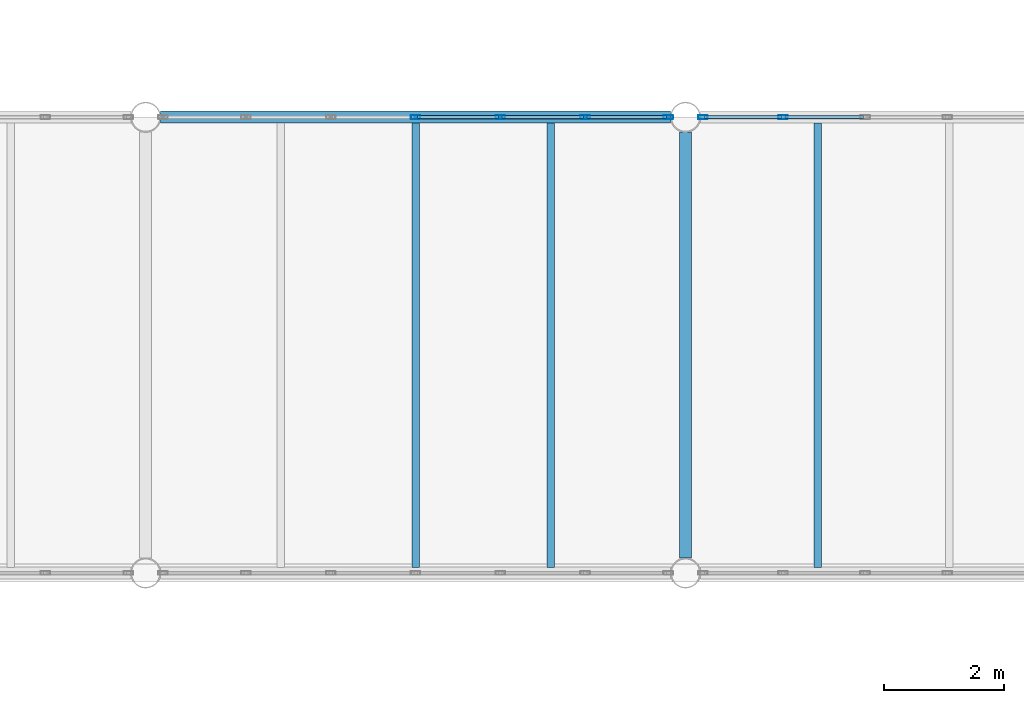
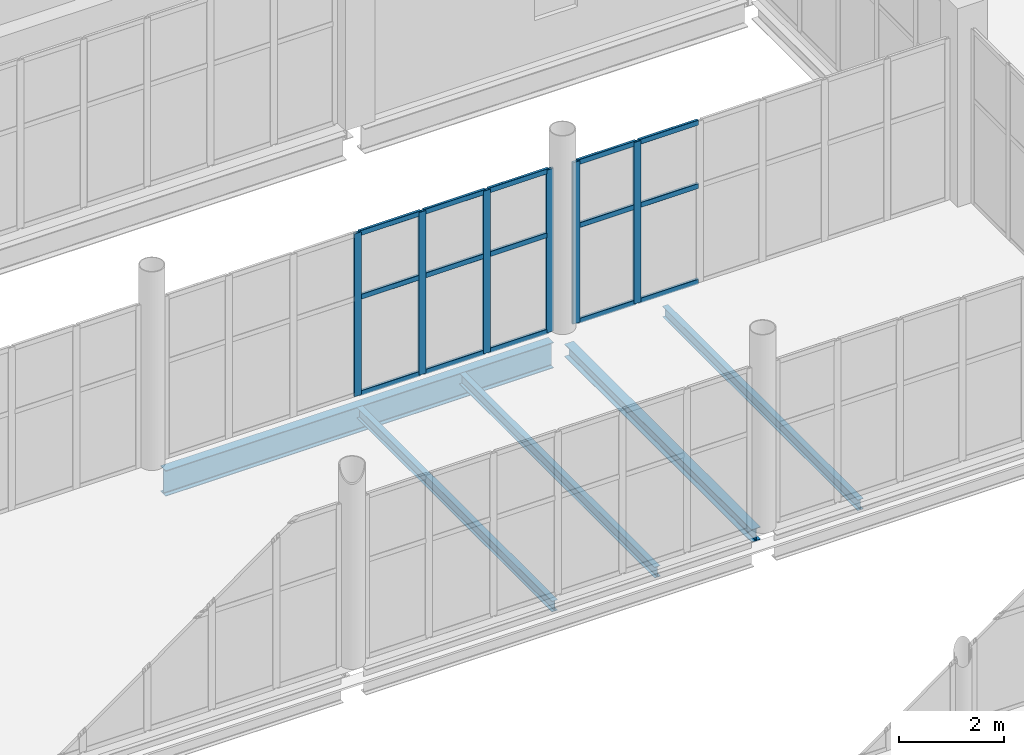
# One storey, part 116 of 172: 21 members, 5 beams, 2 elements without a shape of their own.
"""IFC4 building model written with IfcOpenShell, lengths in metres."""

from ifc_helpers import new_model, si_unit, direction, frame, origin, origin_2d, place, context, subcontext, project, spatial, hollow_rectangle, i_section, extrude, material, material_profile, profile_set, type_object, element, aggregate, save


model = new_model("IFC4")

# Units and contexts
model_context = context("Model", 3, precision=1e-05, world=origin(), true_north=direction((0.0, 1.0)))
body_context = subcontext(model_context, "Body", "Model", "MODEL_VIEW")
ifc_project = project(units=[si_unit("LENGTHUNIT", "METRE"), si_unit("AREAUNIT", "SQUARE_METRE"), si_unit("VOLUMEUNIT", "CUBIC_METRE"), si_unit("PLANEANGLEUNIT", "RADIAN"), si_unit("MASSUNIT", "GRAM", prefix="KILO")], contexts=[model_context])

# Site, building, storey
site_placement = place(None, origin())
site = spatial("IfcSite", under=ifc_project, at=site_placement, CompositionType="ELEMENT")
building_placement = place(site_placement, origin())
building = spatial("IfcBuilding", under=site, at=building_placement, Name="Shengluoqiao Park Theatre", CompositionType="ELEMENT")
storey_placement = place(building_placement, frame((0.0, 0.0, 5.39990234375)))
storey = spatial("IfcBuildingStorey", under=building, at=storey_placement, Name="L01", CompositionType="ELEMENT", Elevation=5.39990234375)

# Curtain wall, members
ifc_material_1 = material(Name="Aluminium 6063-T6", Category="aluminium")
curtain_wall_type = type_object("IfcCurtainWallType", Name="ENV-CW-BRIDGE", PredefinedType="NOTDEFINED", material=ifc_material_1)
curtain_wall_1_placement = place(storey_placement, origin())
curtain_wall_1 = element("IfcCurtainWall", 1, at=curtain_wall_1_placement, inside=storey, type_object=curtain_wall_type, Name="L01 Curtain Wall CWX-L01-0105", PredefinedType="NOTDEFINED")
ifc_material_profile_1 = material_profile(ifc_material_1, hollow_rectangle(XDim=0.06005859375, YDim=0.159912109375, WallThickness=0.00390625, InnerFilletRadius=0.00390625, OuterFilletRadius=0.008056640625, at=origin_2d()), Name="ALU MULLION 160x60x4")
ifc_profile_set_1 = profile_set([ifc_material_profile_1], Name="Aluminium 6063-T6")
member_type_1 = type_object("IfcMemberType", Name="ENV-MUL-160", PredefinedType="MULLION", material=ifc_profile_set_1)
member_1_placement = place(storey_placement, frame((143.89990234375, 76.0, 0.0), z_axis=(0.0, 0.0, 1.0), x_axis=(0.0, 1.0, 0.0)))
member_1 = element("IfcMember", 2, at=member_1_placement, type_object=member_type_1, Name="CW-03 mullion 4", PredefinedType="MULLION", context=body_context, shape_type="SweptSolid", body=[
    extrude(hollow_rectangle(XDim=0.06005859375, YDim=0.159912109375, WallThickness=0.00390625, InnerFilletRadius=0.00390625, OuterFilletRadius=0.008056640625, at=origin_2d()), origin(), (0.0, 0.0, 1.0), 3.772216796875),
])
member_2_placement = place(storey_placement, frame((145.31396484375, 76.0, 0.0), z_axis=(0.0, 0.0, 1.0), x_axis=(0.0, 1.0, 0.0)))
member_2 = element("IfcMember", 3, at=member_2_placement, type_object=member_type_1, Name="CW-03 mullion 5", PredefinedType="MULLION", context=body_context, shape_type="SweptSolid", body=[
    extrude(hollow_rectangle(XDim=0.06005859375, YDim=0.159912109375, WallThickness=0.00390625, InnerFilletRadius=0.00390625, OuterFilletRadius=0.008056640625, at=origin_2d()), origin(), (0.0, 0.0, 1.0), 3.772216796875),
])
member_3_placement = place(storey_placement, frame((146.72802734375, 76.0, 0.0), z_axis=(0.0, 0.0, 1.0), x_axis=(0.0, 1.0, 0.0)))
member_3 = element("IfcMember", 4, at=member_3_placement, type_object=member_type_1, Name="CW-03 mullion 6", PredefinedType="MULLION", context=body_context, shape_type="SweptSolid", body=[
    extrude(hollow_rectangle(XDim=0.06005859375, YDim=0.159912109375, WallThickness=0.00390625, InnerFilletRadius=0.00390625, OuterFilletRadius=0.008056640625, at=origin_2d()), origin(), (0.0, 0.0, 1.0), 3.772216796875),
])
member_4_placement = place(storey_placement, frame((148.112060546875, 76.0, 0.0), z_axis=(0.0, 0.0, 1.0), x_axis=(0.0, 1.0, 0.0)))
member_4 = element("IfcMember", 5, at=member_4_placement, type_object=member_type_1, Name="CW-03 mullion 7", PredefinedType="MULLION", context=body_context, shape_type="SweptSolid", body=[
    extrude(hollow_rectangle(XDim=0.06005859375, YDim=0.159912109375, WallThickness=0.00390625, InnerFilletRadius=0.00390625, OuterFilletRadius=0.008056640625, at=origin_2d()), origin(), (0.0, 0.0, 1.0), 3.772216796875),
])

curtain_wall_2_placement = place(storey_placement, origin())
curtain_wall_2 = element("IfcCurtainWall", 6, at=curtain_wall_2_placement, inside=storey, type_object=curtain_wall_type, Name="L01 Curtain Wall CWX-L01-0106", PredefinedType="NOTDEFINED")
member_5_placement = place(storey_placement, frame((148.68798828125, 76.0, 0.0), z_axis=(0.0, 0.0, 1.0), x_axis=(0.0, 1.0, 0.0)))
member_5 = element("IfcMember", 7, at=member_5_placement, type_object=member_type_1, Name="CW-03 mullion 1", PredefinedType="MULLION", context=body_context, shape_type="SweptSolid", body=[
    extrude(hollow_rectangle(XDim=0.06005859375, YDim=0.159912109375, WallThickness=0.00390625, InnerFilletRadius=0.00390625, OuterFilletRadius=0.008056640625, at=origin_2d()), origin(), (0.0, 0.0, 1.0), 3.7421875),
])
member_6_placement = place(storey_placement, frame((150.02685546875, 76.0, 0.0), z_axis=(0.0, 0.0, 1.0), x_axis=(0.0, 1.0, 0.0)))
member_6 = element("IfcMember", 8, at=member_6_placement, type_object=member_type_1, Name="CW-03 mullion 2", PredefinedType="MULLION", context=body_context, shape_type="SweptSolid", body=[
    extrude(hollow_rectangle(XDim=0.06005859375, YDim=0.159912109375, WallThickness=0.00390625, InnerFilletRadius=0.00390625, OuterFilletRadius=0.008056640625, at=origin_2d()), origin(), (0.0, 0.0, 1.0), 3.7421875),
])

# Member
ifc_material_profile_2 = material_profile(ifc_material_1, hollow_rectangle(XDim=0.06005859375, YDim=0.1201171875, WallThickness=0.00390625, InnerFilletRadius=0.00390625, OuterFilletRadius=0.008056640625, at=origin_2d()), Name="ALU TRANSOM 120x60x4")
ifc_profile_set_2 = profile_set([ifc_material_profile_2], Name="Aluminium 6063-T6")
member_type_2 = type_object("IfcMemberType", Name="ENV-TRN-120", PredefinedType="USERDEFINED", material=ifc_profile_set_2)
member_7_placement = place(storey_placement, frame((143.929931640625, 76.0, 0.030029296875), z_axis=(1.0, 0.0, 0.0), x_axis=(0.0, 1.0, 0.0)))
member_7 = element("IfcMember", 9, at=member_7_placement, type_object=member_type_2, Name="CW-03 transom 4.1", ObjectType="TRANSOM", PredefinedType="USERDEFINED", context=body_context, shape_type="SweptSolid", body=[
    extrude(hollow_rectangle(XDim=0.06005859375, YDim=0.1201171875, WallThickness=0.00390625, InnerFilletRadius=0.00390625, OuterFilletRadius=0.008056640625, at=origin_2d()), origin(), (0.0, 0.0, 1.0), 1.35400390625),
])

member_8_placement = place(storey_placement, frame((143.929931640625, 76.0, 2.26318359375), z_axis=(1.0, 0.0, 0.0), x_axis=(0.0, 1.0, 0.0)))
member_8 = element("IfcMember", 10, at=member_8_placement, type_object=member_type_2, Name="CW-03 transom 4.2", ObjectType="TRANSOM", PredefinedType="USERDEFINED", context=body_context, shape_type="SweptSolid", body=[
    extrude(hollow_rectangle(XDim=0.06005859375, YDim=0.1201171875, WallThickness=0.00390625, InnerFilletRadius=0.00390625, OuterFilletRadius=0.008056640625, at=origin_2d()), origin(), (0.0, 0.0, 1.0), 1.35400390625),
])

member_9_placement = place(storey_placement, frame((143.929931640625, 76.0, 3.7421875), z_axis=(1.0, 0.0, 0.0), x_axis=(0.0, 1.0, 0.0)))
member_9 = element("IfcMember", 11, at=member_9_placement, type_object=member_type_2, Name="CW-03 transom 4.3", ObjectType="TRANSOM", PredefinedType="USERDEFINED", context=body_context, shape_type="SweptSolid", body=[
    extrude(hollow_rectangle(XDim=0.06005859375, YDim=0.1201171875, WallThickness=0.00390625, InnerFilletRadius=0.00390625, OuterFilletRadius=0.008056640625, at=origin_2d()), origin(), (0.0, 0.0, 1.0), 1.35400390625),
])

member_10_placement = place(storey_placement, frame((145.343994140625, 76.0, 0.030029296875), z_axis=(1.0, 0.0, 0.0), x_axis=(0.0, 1.0, 0.0)))
member_10 = element("IfcMember", 12, at=member_10_placement, type_object=member_type_2, Name="CW-03 transom 5.1", ObjectType="TRANSOM", PredefinedType="USERDEFINED", context=body_context, shape_type="SweptSolid", body=[
    extrude(hollow_rectangle(XDim=0.06005859375, YDim=0.1201171875, WallThickness=0.00390625, InnerFilletRadius=0.00390625, OuterFilletRadius=0.008056640625, at=origin_2d()), origin(), (0.0, 0.0, 1.0), 1.35400390625),
])

member_11_placement = place(storey_placement, frame((145.343994140625, 76.0, 2.26318359375), z_axis=(1.0, 0.0, 0.0), x_axis=(0.0, 1.0, 0.0)))
member_11 = element("IfcMember", 13, at=member_11_placement, type_object=member_type_2, Name="CW-03 transom 5.2", ObjectType="TRANSOM", PredefinedType="USERDEFINED", context=body_context, shape_type="SweptSolid", body=[
    extrude(hollow_rectangle(XDim=0.06005859375, YDim=0.1201171875, WallThickness=0.00390625, InnerFilletRadius=0.00390625, OuterFilletRadius=0.008056640625, at=origin_2d()), origin(), (0.0, 0.0, 1.0), 1.35400390625),
])

member_12_placement = place(storey_placement, frame((145.343994140625, 76.0, 3.7421875), z_axis=(1.0, 0.0, 0.0), x_axis=(0.0, 1.0, 0.0)))
member_12 = element("IfcMember", 14, at=member_12_placement, type_object=member_type_2, Name="CW-03 transom 5.3", ObjectType="TRANSOM", PredefinedType="USERDEFINED", context=body_context, shape_type="SweptSolid", body=[
    extrude(hollow_rectangle(XDim=0.06005859375, YDim=0.1201171875, WallThickness=0.00390625, InnerFilletRadius=0.00390625, OuterFilletRadius=0.008056640625, at=origin_2d()), origin(), (0.0, 0.0, 1.0), 1.35400390625),
])

member_13_placement = place(storey_placement, frame((146.758056640625, 76.0, 0.030029296875), z_axis=(1.0, 0.0, 0.0), x_axis=(0.0, 1.0, 0.0)))
member_13 = element("IfcMember", 15, at=member_13_placement, type_object=member_type_2, Name="CW-03 transom 6.1", ObjectType="TRANSOM", PredefinedType="USERDEFINED", context=body_context, shape_type="SweptSolid", body=[
    extrude(hollow_rectangle(XDim=0.06005859375, YDim=0.1201171875, WallThickness=0.00390625, InnerFilletRadius=0.00390625, OuterFilletRadius=0.008056640625, at=origin_2d()), origin(), (0.0, 0.0, 1.0), 1.323974609375),
])

member_14_placement = place(storey_placement, frame((146.758056640625, 76.0, 2.26318359375), z_axis=(1.0, 0.0, 0.0), x_axis=(0.0, 1.0, 0.0)))
member_14 = element("IfcMember", 16, at=member_14_placement, type_object=member_type_2, Name="CW-03 transom 6.2", ObjectType="TRANSOM", PredefinedType="USERDEFINED", context=body_context, shape_type="SweptSolid", body=[
    extrude(hollow_rectangle(XDim=0.06005859375, YDim=0.1201171875, WallThickness=0.00390625, InnerFilletRadius=0.00390625, OuterFilletRadius=0.008056640625, at=origin_2d()), origin(), (0.0, 0.0, 1.0), 1.323974609375),
])

member_15_placement = place(storey_placement, frame((146.758056640625, 76.0, 3.7421875), z_axis=(1.0, 0.0, 0.0), x_axis=(0.0, 1.0, 0.0)))
member_15 = element("IfcMember", 17, at=member_15_placement, type_object=member_type_2, Name="CW-03 transom 6.3", ObjectType="TRANSOM", PredefinedType="USERDEFINED", context=body_context, shape_type="SweptSolid", body=[
    extrude(hollow_rectangle(XDim=0.06005859375, YDim=0.1201171875, WallThickness=0.00390625, InnerFilletRadius=0.00390625, OuterFilletRadius=0.008056640625, at=origin_2d()), origin(), (0.0, 0.0, 1.0), 1.323974609375),
])

aggregate(curtain_wall_1, [member_1, member_2, member_3, member_4, member_7, member_8, member_9, member_10, member_11, member_12, member_13, member_14, member_15])

member_16_placement = place(storey_placement, frame((148.718017578125, 76.0, 0.030029296875), z_axis=(1.0, 0.0, 0.0), x_axis=(0.0, 1.0, 0.0)))
member_16 = element("IfcMember", 18, at=member_16_placement, type_object=member_type_2, Name="CW-03 transom 1.1", ObjectType="TRANSOM", PredefinedType="USERDEFINED", context=body_context, shape_type="SweptSolid", body=[
    extrude(hollow_rectangle(XDim=0.06005859375, YDim=0.1201171875, WallThickness=0.00390625, InnerFilletRadius=0.00390625, OuterFilletRadius=0.008056640625, at=origin_2d()), origin(), (0.0, 0.0, 1.0), 1.27880859375),
])

member_17_placement = place(storey_placement, frame((148.718017578125, 76.0, 2.2451171875), z_axis=(1.0, 0.0, 0.0), x_axis=(0.0, 1.0, 0.0)))
member_17 = element("IfcMember", 19, at=member_17_placement, type_object=member_type_2, Name="CW-03 transom 1.2", ObjectType="TRANSOM", PredefinedType="USERDEFINED", context=body_context, shape_type="SweptSolid", body=[
    extrude(hollow_rectangle(XDim=0.06005859375, YDim=0.1201171875, WallThickness=0.00390625, InnerFilletRadius=0.00390625, OuterFilletRadius=0.008056640625, at=origin_2d()), origin(), (0.0, 0.0, 1.0), 1.27880859375),
])

member_18_placement = place(storey_placement, frame((148.718017578125, 76.0, 3.712158203125), z_axis=(1.0, 0.0, 0.0), x_axis=(0.0, 1.0, 0.0)))
member_18 = element("IfcMember", 20, at=member_18_placement, type_object=member_type_2, Name="CW-03 transom 1.3", ObjectType="TRANSOM", PredefinedType="USERDEFINED", context=body_context, shape_type="SweptSolid", body=[
    extrude(hollow_rectangle(XDim=0.06005859375, YDim=0.1201171875, WallThickness=0.00390625, InnerFilletRadius=0.00390625, OuterFilletRadius=0.008056640625, at=origin_2d()), origin(), (0.0, 0.0, 1.0), 1.27880859375),
])

member_19_placement = place(storey_placement, frame((150.056884765625, 76.0, 0.030029296875), z_axis=(1.0, 0.0, 0.0), x_axis=(0.0, 1.0, 0.0)))
member_19 = element("IfcMember", 21, at=member_19_placement, type_object=member_type_2, Name="CW-03 transom 2.1", ObjectType="TRANSOM", PredefinedType="USERDEFINED", context=body_context, shape_type="SweptSolid", body=[
    extrude(hollow_rectangle(XDim=0.06005859375, YDim=0.1201171875, WallThickness=0.00390625, InnerFilletRadius=0.00390625, OuterFilletRadius=0.008056640625, at=origin_2d()), origin(), (0.0, 0.0, 1.0), 1.308837890625),
])

member_20_placement = place(storey_placement, frame((150.056884765625, 76.0, 2.2451171875), z_axis=(1.0, 0.0, 0.0), x_axis=(0.0, 1.0, 0.0)))
member_20 = element("IfcMember", 22, at=member_20_placement, type_object=member_type_2, Name="CW-03 transom 2.2", ObjectType="TRANSOM", PredefinedType="USERDEFINED", context=body_context, shape_type="SweptSolid", body=[
    extrude(hollow_rectangle(XDim=0.06005859375, YDim=0.1201171875, WallThickness=0.00390625, InnerFilletRadius=0.00390625, OuterFilletRadius=0.008056640625, at=origin_2d()), origin(), (0.0, 0.0, 1.0), 1.308837890625),
])

member_21_placement = place(storey_placement, frame((150.056884765625, 76.0, 3.712158203125), z_axis=(1.0, 0.0, 0.0), x_axis=(0.0, 1.0, 0.0)))
member_21 = element("IfcMember", 23, at=member_21_placement, type_object=member_type_2, Name="CW-03 transom 2.3", ObjectType="TRANSOM", PredefinedType="USERDEFINED", context=body_context, shape_type="SweptSolid", body=[
    extrude(hollow_rectangle(XDim=0.06005859375, YDim=0.1201171875, WallThickness=0.00390625, InnerFilletRadius=0.00390625, OuterFilletRadius=0.008056640625, at=origin_2d()), origin(), (0.0, 0.0, 1.0), 1.308837890625),
])

aggregate(curtain_wall_2, [member_5, member_6, member_16, member_17, member_18, member_19, member_20, member_21])

# Beams
ifc_material_2 = material(Name="Steel Q355", Category="steel")
ifc_material_profile_3 = material_profile(ifc_material_2, i_section(OverallWidth=0.199951171875, OverallDepth=0.2939453125, WebThickness=0.008056640625, FlangeThickness=0.011962890625, FilletRadius=0.01611328125, at=origin_2d()), Name="HM 294x200x8x12")
ifc_profile_set_3 = profile_set([ifc_material_profile_3], Name="Steel Q355")
beam_type_1 = type_object("IfcBeamType", Name="STR-BM-G-HM294", PredefinedType="BEAM", material=ifc_profile_set_3)
beam_1_placement = place(storey_placement, frame((148.39990234375, 68.64794921875, -0.35693359375), z_axis=(0.0, 1.0, 0.0), x_axis=(-1.0, 0.0, 0.0)))
element("IfcBeam", 24, at=beam_1_placement, inside=storey, type_object=beam_type_1, Name="L01 Transverse Girder 00535", PredefinedType="BEAM", context=body_context, shape_type="SweptSolid", body=[
    extrude(i_section(OverallWidth=0.199951171875, OverallDepth=0.2939453125, WebThickness=0.008056640625, FlangeThickness=0.011962890625, FilletRadius=0.01611328125, at=origin_2d()), origin(), (0.0, 0.0, 1.0), 7.10400390625),
])
ifc_material_profile_4 = material_profile(ifc_material_2, i_section(OverallWidth=0.125, OverallDepth=0.25, WebThickness=0.006103515625, FlangeThickness=0.009033203125, FilletRadius=0.010009765625, at=origin_2d()), Name="HN 250x125x6x9")
ifc_profile_set_4 = profile_set([ifc_material_profile_4], Name="Steel Q355")
beam_type_2 = type_object("IfcBeamType", Name="STR-BM-J-HN250", PredefinedType="JOIST", material=ifc_profile_set_4)
for number, where, z_axis, x_axis, name in (
    (25, (143.89990234375, 68.494384765625, -0.3349609375), (0.0, 1.0, 0.0), (-1.0, 0.0, 0.0), "L01 Composite Joist 00556"),
    (26, (146.14990234375, 68.494384765625, -0.3349609375), (0.0, 1.0, 0.0), (-1.0, 0.0, 0.0), "L01 Composite Joist 00557"),
    (27, (150.60009765625, 68.494384765625, -0.3349609375), (0.0, 1.0, 0.0), (-1.0, 0.0, 0.0), "L01 Composite Joist 00558"),
):
    element("IfcBeam", number, at=place(storey_placement, frame(where, z_axis=z_axis, x_axis=x_axis)), inside=storey, type_object=beam_type_2, Name=name, PredefinedType="JOIST", context=body_context, shape_type="SweptSolid", body=[
        extrude(i_section(OverallWidth=0.125, OverallDepth=0.25, WebThickness=0.006103515625, FlangeThickness=0.009033203125, FilletRadius=0.010009765625, at=origin_2d()), origin(), (0.0, 0.0, 1.0), 7.4111328125),
    ])
ifc_material_profile_5 = material_profile(ifc_material_2, i_section(OverallWidth=0.198974609375, OverallDepth=0.595947265625, WebThickness=0.010009765625, FlangeThickness=0.014892578125, FilletRadius=0.02001953125, at=origin_2d()), Name="HN 596x199x10x15")
ifc_profile_set_5 = profile_set([ifc_material_profile_5], Name="Steel Q355")
beam_type_3 = type_object("IfcBeamType", Name="STR-BM-SP-HN596", PredefinedType="SPANDREL", material=ifc_profile_set_5)
beam_2_placement = place(storey_placement, frame((139.64794921875, 76.0, -0.5078125), z_axis=(1.0, 0.0, 0.0), x_axis=(0.0, 1.0, 0.0)))
element("IfcBeam", 28, at=beam_2_placement, inside=storey, type_object=beam_type_3, Name="L01 Primary Girder 00527", PredefinedType="SPANDREL", context=body_context, shape_type="SweptSolid", body=[
    extrude(i_section(OverallWidth=0.198974609375, OverallDepth=0.595947265625, WebThickness=0.010009765625, FlangeThickness=0.014892578125, FilletRadius=0.02001953125, at=origin_2d()), origin(), (0.0, 0.0, 1.0), 8.504150390625),
])

save(model, "model.ifc")
